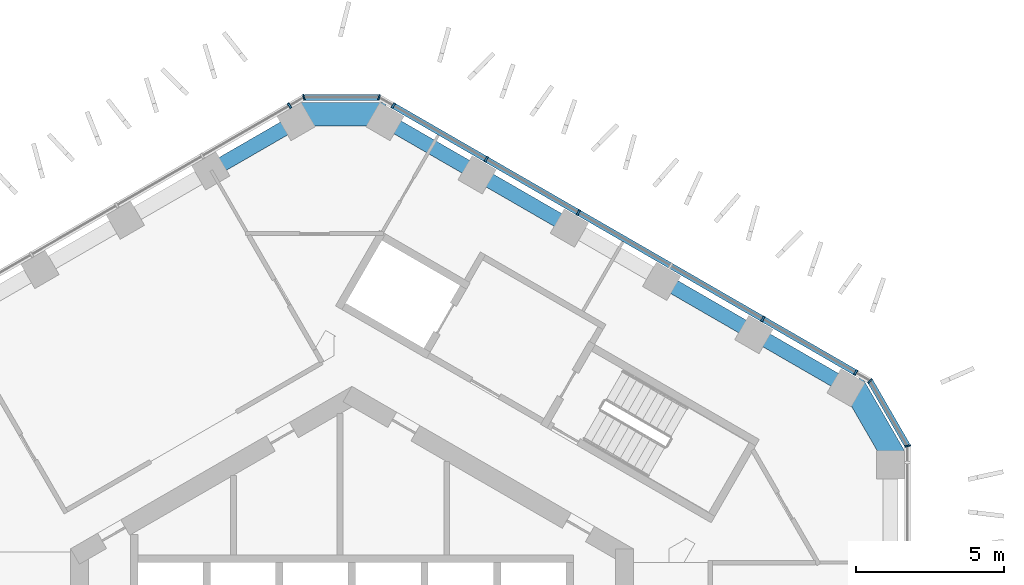
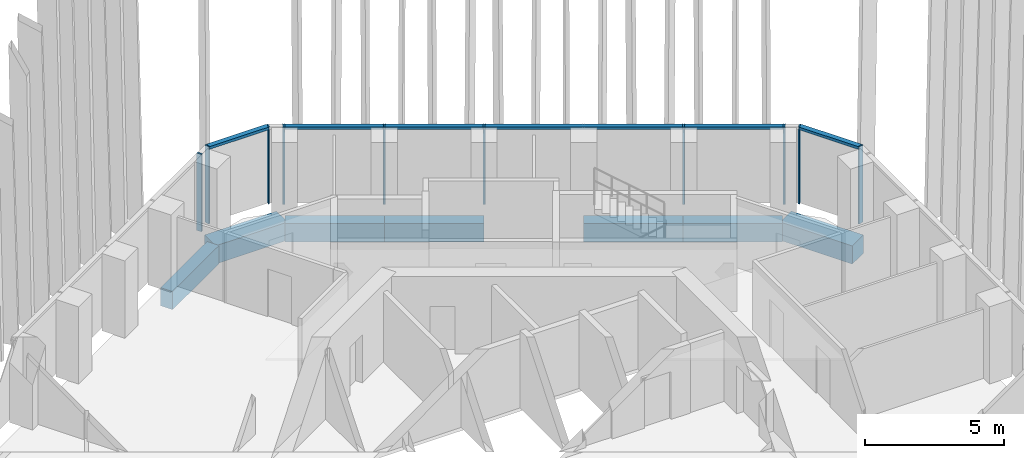
# One storey, part 7 of 21: 13 members, 7 beams, 4 elements without a shape of their own.
"""IFC4 building model written with IfcOpenShell, lengths in metres."""

from ifc_helpers import new_model, si_unit, direction, frame, origin, origin_2d, place, context, subcontext, project, spatial, rectangle, extrude, material, layer, layer_set, material_profile, profile_set, type_object, element, aggregate, save


model = new_model("IFC4")

# Units and contexts
model_context = context("Model", 3, precision=1e-05, world=origin(), true_north=direction((0.0, 1.0)))
body_context = subcontext(model_context, "Body", "Model", "MODEL_VIEW")
ifc_project = project(units=[si_unit("LENGTHUNIT", "METRE"), si_unit("AREAUNIT", "SQUARE_METRE"), si_unit("VOLUMEUNIT", "CUBIC_METRE"), si_unit("PLANEANGLEUNIT", "RADIAN"), si_unit("MASSUNIT", "GRAM", prefix="KILO")], contexts=[model_context])

# Site, building, storey
site_placement = place(None, origin())
site = spatial("IfcSite", under=ifc_project, at=site_placement, CompositionType="ELEMENT")
building_placement = place(site_placement, origin())
building = spatial("IfcBuilding", under=site, at=building_placement, Name="Ayvan Gate Tower", CompositionType="ELEMENT")
storey_placement = place(building_placement, frame((0.0, 0.0, 173.10009765625)))
storey = spatial("IfcBuildingStorey", under=building, at=storey_placement, Name="L46", CompositionType="ELEMENT", Elevation=173.10009765625)

# Beams
ifc_material_1 = material(Name="Concrete C40/50", Category="concrete")
ifc_material_profile_1 = material_profile(ifc_material_1, rectangle(XDim=0.800048828125, YDim=0.800048828125, at=origin_2d()), Name="RC 800x800")
ifc_profile_set_1 = profile_set([ifc_material_profile_1], Name="Concrete C40/50")
beam_type_1 = type_object("IfcBeamType", Name="Corner spandrel beam RC 800x800 C40/50", PredefinedType="BEAM", material=ifc_profile_set_1)
for number, where, z_axis, x_axis, name in (
    (1, (18.376953125, 8.48193359375, -0.75), (-0.499990139034, 0.866031096941, 0.0), (-0.866031096941, -0.499990139034, 0.0), "SB-L46-6"),
    (2, (1.156982421875, 20.156005859375, -0.75), (-1.0, 0.0, 0.0), (0.0, -1.0, 0.0), "SB-L46-12"),
):
    element("IfcBeam", number, at=place(storey_placement, frame(where, z_axis=z_axis, x_axis=x_axis)), inside=storey, type_object=beam_type_1, Name=name, PredefinedType="BEAM", context=body_context, shape_type="SweptSolid", body=[
        extrude(rectangle(XDim=0.800048828125, YDim=0.800048828125, at=origin_2d()), origin(), (0.0, 0.0, 1.0), 3.0),
    ])
ifc_material_profile_2 = material_profile(ifc_material_1, rectangle(XDim=0.5, YDim=0.800048828125, at=origin_2d()), Name="RC 500x800")
ifc_profile_set_2 = profile_set([ifc_material_profile_2], Name="Concrete C40/50")
beam_type_2 = type_object("IfcBeamType", Name="Spandrel beam RC 500x800 C40/50", PredefinedType="BEAM", material=ifc_profile_set_2)
for number, where, z_axis, x_axis, name in (
    (3, (16.6865234375, 10.969970703125, -0.75), (-0.866026881282, 0.499997440891, 0.0), (-0.499997440891, -0.866026881282, 0.0), "SB-L46-7"),
    (4, (13.58056640625, 12.76318359375, -0.75), (-0.866026881282, 0.499997440891, 0.0), (-0.499997440891, -0.866026881282, 0.0), "SB-L46-8"),
    (5, (7.368896484375, 16.349609375, -0.75), (-0.866026881282, 0.499997440891, 0.0), (-0.499997440891, -0.866026881282, 0.0), "SB-L46-10"),
    (6, (4.262939453125, 18.142822265625, -0.75), (-0.866026881282, 0.499997440891, 0.0), (-0.499997440891, -0.866026881282, 0.0), "SB-L46-11"),
):
    element("IfcBeam", number, at=place(storey_placement, frame(where, z_axis=z_axis, x_axis=x_axis)), inside=storey, type_object=beam_type_2, Name=name, PredefinedType="BEAM", context=body_context, shape_type="SweptSolid", body=[
        extrude(rectangle(XDim=0.5, YDim=0.800048828125, at=origin_2d()), origin(), (0.0, 0.0, 1.0), 3.58642578125),
    ])
beam_placement = place(storey_placement, frame((-1.843017578125, 19.93603515625, -0.75), z_axis=(-0.866004689915, -0.500035875758, 0.0), x_axis=(0.500035875758, -0.866004689915, 0.0)))
element("IfcBeam", 7, at=beam_placement, inside=storey, type_object=beam_type_2, Name="SB-L46-13", PredefinedType="BEAM", context=body_context, shape_type="SweptSolid", body=[
    extrude(rectangle(XDim=0.5, YDim=0.800048828125, at=origin_2d()), origin(), (0.0, 0.0, 1.0), 3.348876953125),
])

# Curtain wall, member
ifc_material_2 = material(Name="Bronze anodised aluminium", Category="aluminium")
ifc_layer_1 = layer(ifc_material_2, 0.199951171875)
ifc_layer_set_1 = layer_set([ifc_layer_1], Name="Bronze anodised aluminium")
curtain_wall_type_1 = type_object("IfcCurtainWallType", Name="Stick curtain wall CW-2", PredefinedType="NOTDEFINED", material=ifc_layer_set_1)
curtain_wall_1_placement = place(storey_placement, origin())
curtain_wall_1 = element("IfcCurtainWall", 8, at=curtain_wall_1_placement, inside=storey, type_object=curtain_wall_type_1, Name="Stick curtain wall CW-2 L46", PredefinedType="NOTDEFINED")
ifc_material_profile_3 = material_profile(ifc_material_2, rectangle(XDim=0.199951171875, YDim=0.070068359375, at=origin_2d()), Name="Stick curtain wall CW-2 mullion 200 x 70")
ifc_profile_set_3 = profile_set([ifc_material_profile_3], Name="Bronze anodised aluminium")
member_type_1 = type_object("IfcMemberType", Name="Stick curtain wall CW-2 mullion 200 x 70", PredefinedType="MULLION", material=ifc_profile_set_3)
member_1_placement = place(storey_placement, frame((-2.1083984375, 20.44677734375, 0.0), z_axis=(0.0, 0.0, 1.0), x_axis=(-0.5, 0.866025403784, 0.0)))
member_1 = element("IfcMember", 9, at=member_1_placement, type_object=member_type_1, Name="CW-2 mullion 1", PredefinedType="MULLION", context=body_context, shape_type="SweptSolid", body=[
    extrude(rectangle(XDim=0.199951171875, YDim=0.070068359375, at=origin_2d()), origin(), (0.0, 0.0, 1.0), 3.39990234375),
])
aggregate(curtain_wall_1, [member_1])

# Curtain wall, members
curtain_wall_2_placement = place(storey_placement, origin())
curtain_wall_2 = element("IfcCurtainWall", 10, at=curtain_wall_2_placement, inside=storey, type_object=curtain_wall_type_1, Name="Stick curtain wall CW-2 L46", PredefinedType="NOTDEFINED")
member_2_placement = place(storey_placement, frame((17.00927734375, 11.432373046875, 0.0), z_axis=(0.0, 0.0, 1.0), x_axis=(0.5, 0.866025403784, 0.0)))
member_2 = element("IfcMember", 11, at=member_2_placement, type_object=member_type_1, Name="CW-2 mullion 1", PredefinedType="MULLION", context=body_context, shape_type="SweptSolid", body=[
    extrude(rectangle(XDim=0.199951171875, YDim=0.070068359375, at=origin_2d()), origin(), (0.0, 0.0, 1.0), 3.39990234375),
])
member_3_placement = place(storey_placement, frame((13.874267578125, 13.242431640625, 0.0), z_axis=(0.0, 0.0, 1.0), x_axis=(0.5, 0.866025403784, 0.0)))
member_3 = element("IfcMember", 12, at=member_3_placement, type_object=member_type_1, Name="CW-2 mullion 2", PredefinedType="MULLION", context=body_context, shape_type="SweptSolid", body=[
    extrude(rectangle(XDim=0.199951171875, YDim=0.070068359375, at=origin_2d()), origin(), (0.0, 0.0, 1.0), 3.39990234375),
])
member_4_placement = place(storey_placement, frame((7.645751953125, 16.83837890625, 0.0), z_axis=(0.0, 0.0, 1.0), x_axis=(0.5, 0.866025403784, 0.0)))
member_4 = element("IfcMember", 13, at=member_4_placement, type_object=member_type_1, Name="CW-2 mullion 4", PredefinedType="MULLION", context=body_context, shape_type="SweptSolid", body=[
    extrude(rectangle(XDim=0.199951171875, YDim=0.070068359375, at=origin_2d()), origin(), (0.0, 0.0, 1.0), 3.39990234375),
])
member_5_placement = place(storey_placement, frame((4.53076171875, 18.636962890625, 0.0), z_axis=(0.0, 0.0, 1.0), x_axis=(0.5, 0.866025403784, 0.0)))
member_5 = element("IfcMember", 14, at=member_5_placement, type_object=member_type_1, Name="CW-2 mullion 5", PredefinedType="MULLION", context=body_context, shape_type="SweptSolid", body=[
    extrude(rectangle(XDim=0.199951171875, YDim=0.070068359375, at=origin_2d()), origin(), (0.0, 0.0, 1.0), 3.39990234375),
])
member_6_placement = place(storey_placement, frame((1.396240234375, 20.44677734375, 0.0), z_axis=(0.0, 0.0, 1.0), x_axis=(0.5, 0.866025403784, 0.0)))
member_6 = element("IfcMember", 15, at=member_6_placement, type_object=member_type_1, Name="CW-2 mullion 6", PredefinedType="MULLION", context=body_context, shape_type="SweptSolid", body=[
    extrude(rectangle(XDim=0.199951171875, YDim=0.070068359375, at=origin_2d()), origin(), (0.0, 0.0, 1.0), 3.39990234375),
])
ifc_material_profile_4 = material_profile(ifc_material_2, rectangle(XDim=0.199951171875, YDim=0.1201171875, at=origin_2d()), Name="Stick curtain wall CW-2 transom 200 x 120")
ifc_profile_set_4 = profile_set([ifc_material_profile_4], Name="Bronze anodised aluminium")
member_type_2 = type_object("IfcMemberType", Name="Stick curtain wall CW-2 transom 200 x 120", PredefinedType="USERDEFINED", material=ifc_profile_set_4)
member_7_placement = place(storey_placement, frame((17.00927734375, 11.432373046875, 3.33984375), z_axis=(-0.866020284996, 0.500008865896, 0.0), x_axis=(-0.500008865896, -0.866020284996, 0.0)))
member_7 = element("IfcMember", 16, at=member_7_placement, type_object=member_type_2, Name="CW-2 transom 1", ObjectType="TRANSOM", PredefinedType="USERDEFINED", context=body_context, shape_type="SweptSolid", body=[
    extrude(rectangle(XDim=0.199951171875, YDim=0.1201171875, at=origin_2d()), origin(), (0.0, 0.0, 1.0), 18.028564453125),
])
aggregate(curtain_wall_2, [member_2, member_3, member_4, member_5, member_6, member_7])

ifc_layer_2 = layer(ifc_material_2, 0.199951171875)
ifc_layer_set_2 = layer_set([ifc_layer_2], Name="Bronze anodised aluminium")
curtain_wall_type_2 = type_object("IfcCurtainWallType", Name="Stick curtain wall CW-6", PredefinedType="NOTDEFINED", material=ifc_layer_set_2)
curtain_wall_3_placement = place(storey_placement, origin())
curtain_wall_3 = element("IfcCurtainWall", 17, at=curtain_wall_3_placement, inside=storey, type_object=curtain_wall_type_2, Name="Stick curtain wall CW-6 L46", PredefinedType="NOTDEFINED")
ifc_material_profile_5 = material_profile(ifc_material_2, rectangle(XDim=0.199951171875, YDim=0.050048828125, at=origin_2d()), Name="Stick curtain wall CW-6 mullion 200 x 50")
ifc_profile_set_5 = profile_set([ifc_material_profile_5], Name="Bronze anodised aluminium")
member_type_3 = type_object("IfcMemberType", Name="Stick curtain wall CW-6 mullion 200 x 50", PredefinedType="MULLION", material=ifc_profile_set_5)
member_8_placement = place(storey_placement, frame((18.761474609375, 8.95751953125, 0.0), z_axis=(0.0, 0.0, 1.0), x_axis=(0.965925826289, 0.258819045103, 0.0)))
member_8 = element("IfcMember", 18, at=member_8_placement, type_object=member_type_3, Name="CW-6 mullion 2", PredefinedType="MULLION", context=body_context, shape_type="SweptSolid", body=[
    extrude(rectangle(XDim=0.199951171875, YDim=0.050048828125, at=origin_2d()), origin(), (0.0, 0.0, 1.0), 3.39990234375),
])
member_9_placement = place(storey_placement, frame((17.494140625, 11.152587890625, 0.0), z_axis=(0.0, 0.0, 1.0), x_axis=(0.707106781187, 0.707106781187, 0.0)))
member_9 = element("IfcMember", 19, at=member_9_placement, type_object=member_type_3, Name="CW-6 mullion 3", PredefinedType="MULLION", context=body_context, shape_type="SweptSolid", body=[
    extrude(rectangle(XDim=0.199951171875, YDim=0.050048828125, at=origin_2d()), origin(), (0.0, 0.0, 1.0), 3.39990234375),
])

curtain_wall_4_placement = place(storey_placement, origin())
curtain_wall_4 = element("IfcCurtainWall", 20, at=curtain_wall_4_placement, inside=storey, type_object=curtain_wall_type_2, Name="Stick curtain wall CW-6 L46", PredefinedType="NOTDEFINED")
member_10_placement = place(storey_placement, frame((0.9111328125, 20.726806640625, 0.0), z_axis=(0.0, 0.0, 1.0), x_axis=(0.258819045103, 0.965925826289, 0.0)))
member_10 = element("IfcMember", 21, at=member_10_placement, type_object=member_type_3, Name="CW-6 mullion 2", PredefinedType="MULLION", context=body_context, shape_type="SweptSolid", body=[
    extrude(rectangle(XDim=0.199951171875, YDim=0.050048828125, at=origin_2d()), origin(), (0.0, 0.0, 1.0), 3.39990234375),
])
member_11_placement = place(storey_placement, frame((-1.623291015625, 20.726806640625, 0.0), z_axis=(0.0, 0.0, 1.0), x_axis=(-0.258819045103, 0.965925826289, 0.0)))
member_11 = element("IfcMember", 22, at=member_11_placement, type_object=member_type_3, Name="CW-6 mullion 3", PredefinedType="MULLION", context=body_context, shape_type="SweptSolid", body=[
    extrude(rectangle(XDim=0.199951171875, YDim=0.050048828125, at=origin_2d()), origin(), (0.0, 0.0, 1.0), 3.39990234375),
])

# Member
ifc_material_profile_6 = material_profile(ifc_material_2, rectangle(XDim=0.199951171875, YDim=0.1201171875, at=origin_2d()), Name="Stick curtain wall CW-6 transom 200 x 120")
ifc_profile_set_6 = profile_set([ifc_material_profile_6], Name="Bronze anodised aluminium")
member_type_4 = type_object("IfcMemberType", Name="Stick curtain wall CW-6 transom 200 x 120", PredefinedType="USERDEFINED", material=ifc_profile_set_6)
member_12_placement = place(storey_placement, frame((18.7490234375, 8.979248046875, 3.33984375), z_axis=(-0.499986149909, 0.86603339999, 0.0), x_axis=(-0.86603339999, -0.499986149909, 0.0)))
member_12 = element("IfcMember", 23, at=member_12_placement, type_object=member_type_4, Name="CW-6 transom 2", ObjectType="TRANSOM", PredefinedType="USERDEFINED", context=body_context, shape_type="SweptSolid", body=[
    extrude(rectangle(XDim=0.199951171875, YDim=0.1201171875, at=origin_2d()), origin(), (0.0, 0.0, 1.0), 2.484375),
])

aggregate(curtain_wall_3, [member_8, member_9, member_12])

member_13_placement = place(storey_placement, frame((0.88623046875, 20.726806640625, 3.33984375), z_axis=(-1.0, 0.0, 0.0), x_axis=(0.0, -1.0, 0.0)))
member_13 = element("IfcMember", 24, at=member_13_placement, type_object=member_type_4, Name="CW-6 transom 2", ObjectType="TRANSOM", PredefinedType="USERDEFINED", context=body_context, shape_type="SweptSolid", body=[
    extrude(rectangle(XDim=0.199951171875, YDim=0.1201171875, at=origin_2d()), origin(), (0.0, 0.0, 1.0), 2.484619140625),
])

aggregate(curtain_wall_4, [member_10, member_11, member_13])

save(model, "model.ifc")
